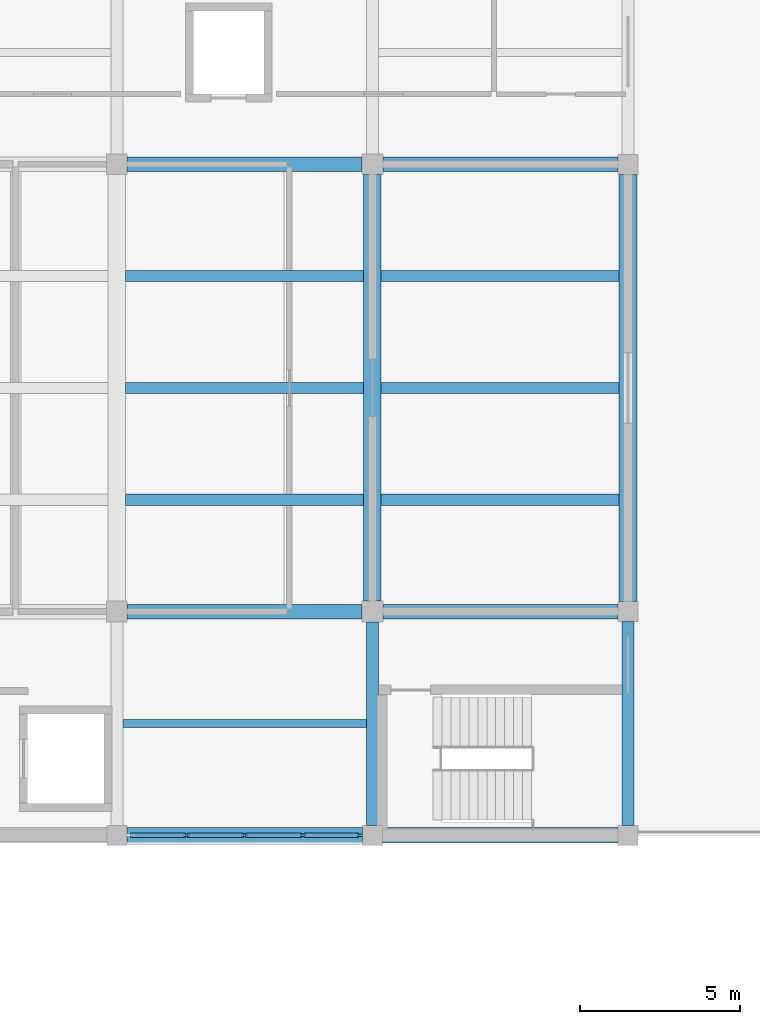
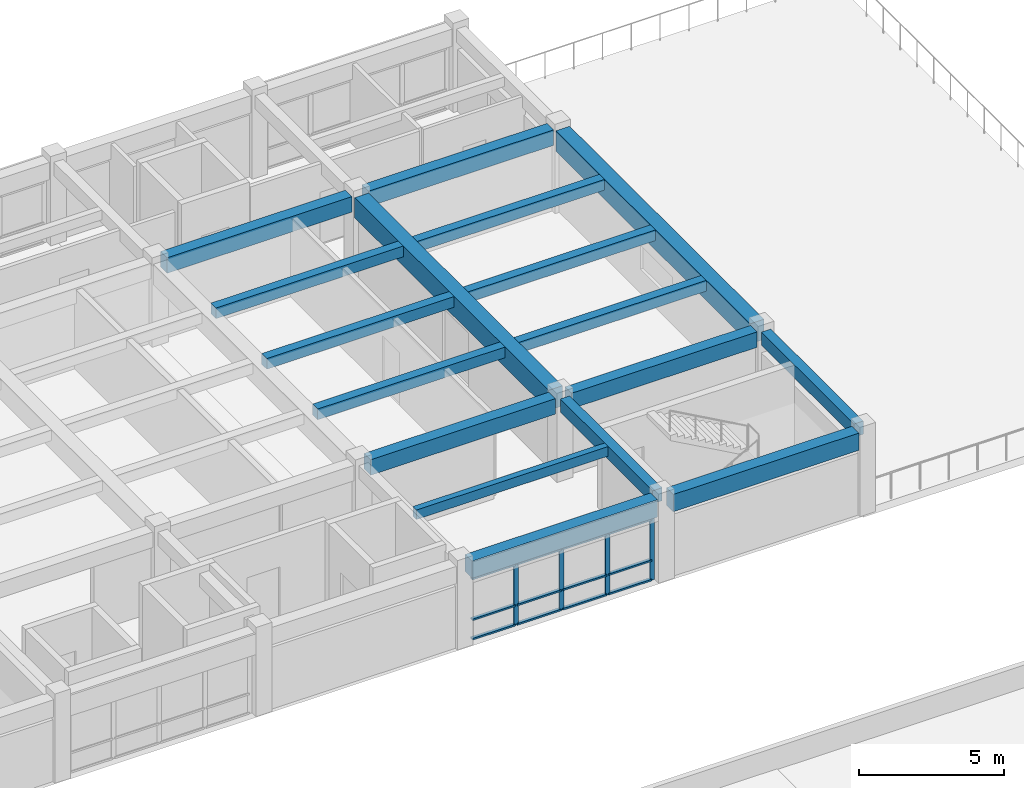
# One storey, part 3 of 22: 17 beams, 16 members, 1 element without a shape of its own.
"""IFC4 building model written with IfcOpenShell, lengths in metres."""

from ifc_helpers import new_model, si_unit, direction, frame, origin, origin_2d, place, context, subcontext, project, spatial, rectangle, extrude, material, layer, layer_set, material_profile, profile_set, type_object, element, aggregate, save


model = new_model("IFC4")

# Units and contexts
model_context = context("Model", 3, precision=1e-05, world=origin(), true_north=direction((0.0, 1.0)))
body_context = subcontext(model_context, "Body", "Model", "MODEL_VIEW")
ifc_project = project(units=[si_unit("LENGTHUNIT", "METRE"), si_unit("AREAUNIT", "SQUARE_METRE"), si_unit("VOLUMEUNIT", "CUBIC_METRE"), si_unit("PLANEANGLEUNIT", "RADIAN"), si_unit("MASSUNIT", "GRAM", prefix="KILO")], contexts=[model_context])

# Site, building, storey
site_placement = place(None, origin())
site = spatial("IfcSite", under=ifc_project, at=site_placement, CompositionType="ELEMENT")
building_placement = place(site_placement, origin())
building = spatial("IfcBuilding", under=site, at=building_placement, Name="Naurynzar Civic Courthouse", CompositionType="ELEMENT")
storey_placement = place(building_placement, frame((0.0, 0.0, 25.800048828125)))
storey = spatial("IfcBuildingStorey", under=building, at=storey_placement, Name="L07", CompositionType="ELEMENT", Elevation=25.800048828125)

# Beams
ifc_material_1 = material(Name="Concrete C40/50", Category="concrete")
ifc_material_profile_1 = material_profile(ifc_material_1, rectangle(XDim=0.25, YDim=0.39990234375, at=origin_2d()), Name="RCB 250x400")
ifc_profile_set_1 = profile_set([ifc_material_profile_1], Name="Concrete C40/50")
beam_type_1 = type_object("IfcBeamType", Name="BM-JST-250x400", PredefinedType="JOIST", material=ifc_profile_set_1)
beam_1_placement = place(storey_placement, frame((93.1875, 47.5, 3.27001953125), z_axis=(1.0, 0.0, 0.0), x_axis=(0.0, 1.0, 0.0)))
element("IfcBeam", 1, at=beam_1_placement, inside=storey, type_object=beam_type_1, Name="V2 secondary rib 976 L07", PredefinedType="JOIST", context=body_context, shape_type="SweptSolid", body=[
    extrude(rectangle(XDim=0.25, YDim=0.39990234375, at=origin_2d()), origin(), (0.0, 0.0, 1.0), 7.625),
])
ifc_material_2 = material(Name="Concrete C40/50", Category="concrete")
ifc_material_profile_2 = material_profile(ifc_material_2, rectangle(XDim=0.550048828125, YDim=0.85009765625, at=origin_2d()), Name="PTB 550x850")
ifc_profile_set_2 = profile_set([ifc_material_profile_2], Name="Concrete C40/50")
beam_type_2 = type_object("IfcBeamType", Name="BM-PT-550x850", PredefinedType="T_BEAM", material=ifc_profile_set_2)
beam_2_placement = place(storey_placement, frame((101.0, 51.324951171875, 3.044921875), z_axis=(0.0, 1.0, 0.0), x_axis=(-1.0, 0.0, 0.0)))
element("IfcBeam", 2, at=beam_2_placement, inside=storey, type_object=beam_type_2, Name="V2 girder Y-970 L07", PredefinedType="T_BEAM", context=body_context, shape_type="SweptSolid", body=[
    extrude(rectangle(XDim=0.550048828125, YDim=0.85009765625, at=origin_2d()), origin(), (0.0, 0.0, 1.0), 13.35009765625),
])
beam_3_placement = place(storey_placement, frame((109.0, 51.3125, 3.044921875), z_axis=(0.0, 1.0, 0.0), x_axis=(-1.0, 0.0, 0.0)))
element("IfcBeam", 3, at=beam_3_placement, inside=storey, type_object=beam_type_2, Name="V2 girder Y-973 L07", PredefinedType="T_BEAM", context=body_context, shape_type="SweptSolid", body=[
    extrude(rectangle(XDim=0.550048828125, YDim=0.85009765625, at=origin_2d()), origin(), (0.0, 0.0, 1.0), 13.375),
])
ifc_material_3 = material(Name="Concrete C40/50", Category="concrete")
ifc_material_profile_3 = material_profile(ifc_material_3, rectangle(XDim=0.35009765625, YDim=0.449951171875, at=origin_2d()), Name="RCB 350x450")
ifc_profile_set_3 = profile_set([ifc_material_profile_3], Name="Concrete C40/50")
beam_type_3 = type_object("IfcBeamType", Name="BM-RC-350x450", PredefinedType="BEAM", material=ifc_profile_set_3)
for number, where, z_axis, x_axis, name in (
    (4, (93.27490234375, 54.5, 3.244873046875), (1.0, 0.0, 0.0), (0.0, 1.0, 0.0), "V2 secondary rib 989 L07"),
    (5, (93.27490234375, 58.0, 3.244873046875), (1.0, 0.0, 0.0), (0.0, 1.0, 0.0), "V2 secondary rib 990 L07"),
    (6, (93.27490234375, 61.5, 3.244873046875), (1.0, 0.0, 0.0), (0.0, 1.0, 0.0), "V2 secondary rib 991 L07"),
    (7, (101.27490234375, 54.5, 3.244873046875), (1.0, 0.0, 0.0), (0.0, 1.0, 0.0), "V2 secondary rib 992 L07"),
    (8, (101.27490234375, 58.0, 3.244873046875), (1.0, 0.0, 0.0), (0.0, 1.0, 0.0), "V2 secondary rib 993 L07"),
    (9, (101.27490234375, 61.5, 3.244873046875), (1.0, 0.0, 0.0), (0.0, 1.0, 0.0), "V2 secondary rib 994 L07"),
):
    element("IfcBeam", number, at=place(storey_placement, frame(where, z_axis=z_axis, x_axis=x_axis)), inside=storey, type_object=beam_type_3, Name=name, PredefinedType="BEAM", context=body_context, shape_type="SweptSolid", body=[
        extrude(rectangle(XDim=0.35009765625, YDim=0.449951171875, at=origin_2d()), origin(), (0.0, 0.0, 1.0), 7.4501953125),
    ])
ifc_material_4 = material(Name="Concrete C40/50", Category="concrete")
ifc_material_profile_4 = material_profile(ifc_material_4, rectangle(XDim=0.375, YDim=0.550048828125, at=origin_2d()), Name="RCB 375x550")
ifc_profile_set_4 = profile_set([ifc_material_profile_4], Name="Concrete C40/50")
beam_type_4 = type_object("IfcBeamType", Name="BM-RC-375x550", PredefinedType="BEAM", material=ifc_profile_set_4)
beam_4_placement = place(storey_placement, frame((101.0, 44.3125, 3.195068359375), z_axis=(0.0, 1.0, 0.0), x_axis=(-1.0, 0.0, 0.0)))
element("IfcBeam", 10, at=beam_4_placement, inside=storey, type_object=beam_type_4, Name="V2 girder Y-969 L07", PredefinedType="BEAM", context=body_context, shape_type="SweptSolid", body=[
    extrude(rectangle(XDim=0.375, YDim=0.550048828125, at=origin_2d()), origin(), (0.0, 0.0, 1.0), 6.362548828125),
])
beam_5_placement = place(storey_placement, frame((109.0, 44.3125, 3.195068359375), z_axis=(0.0, 1.0, 0.0), x_axis=(-1.0, 0.0, 0.0)))
element("IfcBeam", 11, at=beam_5_placement, inside=storey, type_object=beam_type_4, Name="V2 girder Y-972 L07", PredefinedType="BEAM", context=body_context, shape_type="SweptSolid", body=[
    extrude(rectangle(XDim=0.375, YDim=0.550048828125, at=origin_2d()), origin(), (0.0, 0.0, 1.0), 6.375),
])
ifc_material_5 = material(Name="Concrete C40/50", Category="concrete")
ifc_material_profile_5 = material_profile(ifc_material_5, rectangle(XDim=0.449951171875, YDim=0.64990234375, at=origin_2d()), Name="RCB 450x650")
ifc_profile_set_5 = profile_set([ifc_material_profile_5], Name="Concrete C40/50")
beam_type_5 = type_object("IfcBeamType", Name="BM-RC-450x650", PredefinedType="BEAM", material=ifc_profile_set_5)
beam_6_placement = place(storey_placement, frame((93.324951171875, 51.0, 3.14501953125), z_axis=(1.0, 0.0, 0.0), x_axis=(0.0, 1.0, 0.0)))
element("IfcBeam", 12, at=beam_6_placement, inside=storey, type_object=beam_type_5, Name="V2 beam X-940 L07", PredefinedType="BEAM", context=body_context, shape_type="SweptSolid", body=[
    extrude(rectangle(XDim=0.449951171875, YDim=0.64990234375, at=origin_2d()), origin(), (0.0, 0.0, 1.0), 7.35009765625),
])
beam_7_placement = place(storey_placement, frame((101.324951171875, 51.0, 3.14501953125), z_axis=(1.0, 0.0, 0.0), x_axis=(0.0, 1.0, 0.0)))
element("IfcBeam", 13, at=beam_7_placement, inside=storey, type_object=beam_type_5, Name="V2 beam X-941 L07", PredefinedType="BEAM", context=body_context, shape_type="SweptSolid", body=[
    extrude(rectangle(XDim=0.449951171875, YDim=0.64990234375, at=origin_2d()), origin(), (0.0, 0.0, 1.0), 7.362548828125),
])
beam_8_placement = place(storey_placement, frame((93.324951171875, 65.0, 3.14501953125), z_axis=(1.0, 0.0, 0.0), x_axis=(0.0, 1.0, 0.0)))
element("IfcBeam", 14, at=beam_8_placement, inside=storey, type_object=beam_type_5, Name="V2 beam X-946 L07", PredefinedType="BEAM", context=body_context, shape_type="SweptSolid", body=[
    extrude(rectangle(XDim=0.449951171875, YDim=0.64990234375, at=origin_2d()), origin(), (0.0, 0.0, 1.0), 7.35009765625),
])
beam_9_placement = place(storey_placement, frame((101.324951171875, 65.0, 3.14501953125), z_axis=(1.0, 0.0, 0.0), x_axis=(0.0, 1.0, 0.0)))
element("IfcBeam", 15, at=beam_9_placement, inside=storey, type_object=beam_type_5, Name="V2 beam X-947 L07", PredefinedType="BEAM", context=body_context, shape_type="SweptSolid", body=[
    extrude(rectangle(XDim=0.449951171875, YDim=0.64990234375, at=origin_2d()), origin(), (0.0, 0.0, 1.0), 7.362548828125),
])
ifc_material_6 = material(Name="Concrete C40/50", Category="concrete")
ifc_material_profile_6 = material_profile(ifc_material_6, rectangle(XDim=0.47509765625, YDim=0.72509765625, at=origin_2d()), Name="RCB 475x725")
ifc_profile_set_6 = profile_set([ifc_material_profile_6], Name="Concrete C40/50")
beam_type_6 = type_object("IfcBeamType", Name="BM-RC-475x725", PredefinedType="SPANDREL", material=ifc_profile_set_6)
for number, where, z_axis, x_axis, name in (
    (16, (93.3125, 44.0, 3.107421875), (1.0, 0.0, 0.0), (0.0, 1.0, 0.0), "V2 beam X-934 L07"),
    (17, (101.3125, 44.0, 3.107421875), (1.0, 0.0, 0.0), (0.0, 1.0, 0.0), "V2 beam X-935 L07"),
):
    element("IfcBeam", number, at=place(storey_placement, frame(where, z_axis=z_axis, x_axis=x_axis)), inside=storey, type_object=beam_type_6, Name=name, PredefinedType="SPANDREL", context=body_context, shape_type="SweptSolid", body=[
        extrude(rectangle(XDim=0.47509765625, YDim=0.72509765625, at=origin_2d()), origin(), (0.0, 0.0, 1.0), 7.375),
    ])

# Curtain wall, members
ifc_material_7 = material(Name="Aluminium 6063-T6", Category="aluminium")
ifc_layer = layer(ifc_material_7, 0.159912109375)
ifc_layer_set = layer_set([ifc_layer], Name="CW-UNIT-1800")
curtain_wall_type = type_object("IfcCurtainWallType", Name="CW-UNIT-1800", PredefinedType="NOTDEFINED", material=ifc_layer_set)
curtain_wall_placement = place(storey_placement, origin())
curtain_wall = element("IfcCurtainWall", 18, at=curtain_wall_placement, inside=storey, type_object=curtain_wall_type, Name="V2 unitised curtain wall 51 L07", PredefinedType="NOTDEFINED")
ifc_material_8 = material(Name="Aluminium 6063-T6", Category="aluminium")
ifc_material_profile_7 = material_profile(ifc_material_8, rectangle(XDim=0.070068359375, YDim=0.179931640625, at=origin_2d()), Name="ALU MULLION 70x180")
ifc_profile_set_7 = profile_set([ifc_material_profile_7], Name="Aluminium 6063-T6")
member_type_1 = type_object("IfcMemberType", Name="CWM-70x180", PredefinedType="MULLION", material=ifc_profile_set_7)
member_1_placement = place(storey_placement, frame((100.6025390625, 44.0, 0.0), z_axis=(0.0, 0.0, 1.0), x_axis=(0.0, -1.0, 0.0)))
member_1 = element("IfcMember", 19, at=member_1_placement, type_object=member_type_1, Name="CW-02 mullion 1", PredefinedType="MULLION", context=body_context, shape_type="SweptSolid", body=[
    extrude(rectangle(XDim=0.070068359375, YDim=0.179931640625, at=origin_2d()), origin(), (0.0, 0.0, 1.0), 2.599853515625),
])
member_2_placement = place(storey_placement, frame((98.81884765625, 44.0, 0.0), z_axis=(0.0, 0.0, 1.0), x_axis=(0.0, -1.0, 0.0)))
member_2 = element("IfcMember", 20, at=member_2_placement, type_object=member_type_1, Name="CW-02 mullion 2", PredefinedType="MULLION", context=body_context, shape_type="SweptSolid", body=[
    extrude(rectangle(XDim=0.070068359375, YDim=0.179931640625, at=origin_2d()), origin(), (0.0, 0.0, 1.0), 2.599853515625),
])
member_3_placement = place(storey_placement, frame((97.0, 44.0, 0.0), z_axis=(0.0, 0.0, 1.0), x_axis=(0.0, -1.0, 0.0)))
member_3 = element("IfcMember", 21, at=member_3_placement, type_object=member_type_1, Name="CW-02 mullion 3", PredefinedType="MULLION", context=body_context, shape_type="SweptSolid", body=[
    extrude(rectangle(XDim=0.070068359375, YDim=0.179931640625, at=origin_2d()), origin(), (0.0, 0.0, 1.0), 2.599853515625),
])
member_4_placement = place(storey_placement, frame((95.18115234375, 44.0, 0.0), z_axis=(0.0, 0.0, 1.0), x_axis=(0.0, -1.0, 0.0)))
member_4 = element("IfcMember", 22, at=member_4_placement, type_object=member_type_1, Name="CW-02 mullion 4", PredefinedType="MULLION", context=body_context, shape_type="SweptSolid", body=[
    extrude(rectangle(XDim=0.070068359375, YDim=0.179931640625, at=origin_2d()), origin(), (0.0, 0.0, 1.0), 2.599853515625),
])
ifc_material_9 = material(Name="Aluminium 6063-T6", Category="aluminium")
ifc_material_profile_8 = material_profile(ifc_material_9, rectangle(XDim=0.1298828125, YDim=0.070068359375, at=origin_2d()), Name="ALU TRANSOM 70x130")
ifc_profile_set_8 = profile_set([ifc_material_profile_8], Name="Aluminium 6063-T6")
member_type_2 = type_object("IfcMemberType", Name="CWT-70x130", PredefinedType="USERDEFINED", material=ifc_profile_set_8)
member_5_placement = place(storey_placement, frame((100.5673828125, 44.0, 0.034912109375), z_axis=(-1.0, 0.0, 0.0), x_axis=(0.0, -1.0, 0.0)))
member_5 = element("IfcMember", 23, at=member_5_placement, type_object=member_type_2, Name="CW-02 transom 1.1", ObjectType="TRANSOM", PredefinedType="USERDEFINED", context=body_context, shape_type="SweptSolid", body=[
    extrude(rectangle(XDim=0.1298828125, YDim=0.070068359375, at=origin_2d()), origin(), (0.0, 0.0, 1.0), 1.713623046875),
])
member_6_placement = place(storey_placement, frame((100.5673828125, 44.0, 0.849853515625), z_axis=(-1.0, 0.0, 0.0), x_axis=(0.0, -1.0, 0.0)))
member_6 = element("IfcMember", 24, at=member_6_placement, type_object=member_type_2, Name="CW-02 transom 1.2", ObjectType="TRANSOM", PredefinedType="USERDEFINED", context=body_context, shape_type="SweptSolid", body=[
    extrude(rectangle(XDim=0.1298828125, YDim=0.070068359375, at=origin_2d()), origin(), (0.0, 0.0, 1.0), 1.713623046875),
])
member_7_placement = place(storey_placement, frame((100.5673828125, 44.0, 2.56494140625), z_axis=(-1.0, 0.0, 0.0), x_axis=(0.0, -1.0, 0.0)))
member_7 = element("IfcMember", 25, at=member_7_placement, type_object=member_type_2, Name="CW-02 transom 1.3", ObjectType="TRANSOM", PredefinedType="USERDEFINED", context=body_context, shape_type="SweptSolid", body=[
    extrude(rectangle(XDim=0.1298828125, YDim=0.070068359375, at=origin_2d()), origin(), (0.0, 0.0, 1.0), 1.713623046875),
])
member_8_placement = place(storey_placement, frame((98.78369140625, 44.0, 0.034912109375), z_axis=(-1.0, 0.0, 0.0), x_axis=(0.0, -1.0, 0.0)))
member_8 = element("IfcMember", 26, at=member_8_placement, type_object=member_type_2, Name="CW-02 transom 2.1", ObjectType="TRANSOM", PredefinedType="USERDEFINED", context=body_context, shape_type="SweptSolid", body=[
    extrude(rectangle(XDim=0.1298828125, YDim=0.070068359375, at=origin_2d()), origin(), (0.0, 0.0, 1.0), 1.748779296875),
])
member_9_placement = place(storey_placement, frame((98.78369140625, 44.0, 0.849853515625), z_axis=(-1.0, 0.0, 0.0), x_axis=(0.0, -1.0, 0.0)))
member_9 = element("IfcMember", 27, at=member_9_placement, type_object=member_type_2, Name="CW-02 transom 2.2", ObjectType="TRANSOM", PredefinedType="USERDEFINED", context=body_context, shape_type="SweptSolid", body=[
    extrude(rectangle(XDim=0.1298828125, YDim=0.070068359375, at=origin_2d()), origin(), (0.0, 0.0, 1.0), 1.748779296875),
])
member_10_placement = place(storey_placement, frame((98.78369140625, 44.0, 2.56494140625), z_axis=(-1.0, 0.0, 0.0), x_axis=(0.0, -1.0, 0.0)))
member_10 = element("IfcMember", 28, at=member_10_placement, type_object=member_type_2, Name="CW-02 transom 2.3", ObjectType="TRANSOM", PredefinedType="USERDEFINED", context=body_context, shape_type="SweptSolid", body=[
    extrude(rectangle(XDim=0.1298828125, YDim=0.070068359375, at=origin_2d()), origin(), (0.0, 0.0, 1.0), 1.748779296875),
])
member_11_placement = place(storey_placement, frame((96.965087890625, 44.0, 0.034912109375), z_axis=(-1.0, 0.0, 0.0), x_axis=(0.0, -1.0, 0.0)))
member_11 = element("IfcMember", 29, at=member_11_placement, type_object=member_type_2, Name="CW-02 transom 3.1", ObjectType="TRANSOM", PredefinedType="USERDEFINED", context=body_context, shape_type="SweptSolid", body=[
    extrude(rectangle(XDim=0.1298828125, YDim=0.070068359375, at=origin_2d()), origin(), (0.0, 0.0, 1.0), 1.748779296875),
])
member_12_placement = place(storey_placement, frame((96.965087890625, 44.0, 0.849853515625), z_axis=(-1.0, 0.0, 0.0), x_axis=(0.0, -1.0, 0.0)))
member_12 = element("IfcMember", 30, at=member_12_placement, type_object=member_type_2, Name="CW-02 transom 3.2", ObjectType="TRANSOM", PredefinedType="USERDEFINED", context=body_context, shape_type="SweptSolid", body=[
    extrude(rectangle(XDim=0.1298828125, YDim=0.070068359375, at=origin_2d()), origin(), (0.0, 0.0, 1.0), 1.748779296875),
])
member_13_placement = place(storey_placement, frame((96.965087890625, 44.0, 2.56494140625), z_axis=(-1.0, 0.0, 0.0), x_axis=(0.0, -1.0, 0.0)))
member_13 = element("IfcMember", 31, at=member_13_placement, type_object=member_type_2, Name="CW-02 transom 3.3", ObjectType="TRANSOM", PredefinedType="USERDEFINED", context=body_context, shape_type="SweptSolid", body=[
    extrude(rectangle(XDim=0.1298828125, YDim=0.070068359375, at=origin_2d()), origin(), (0.0, 0.0, 1.0), 1.748779296875),
])
member_14_placement = place(storey_placement, frame((95.146240234375, 44.0, 0.034912109375), z_axis=(-1.0, 0.0, 0.0), x_axis=(0.0, -1.0, 0.0)))
member_14 = element("IfcMember", 32, at=member_14_placement, type_object=member_type_2, Name="CW-02 transom 4.1", ObjectType="TRANSOM", PredefinedType="USERDEFINED", context=body_context, shape_type="SweptSolid", body=[
    extrude(rectangle(XDim=0.1298828125, YDim=0.070068359375, at=origin_2d()), origin(), (0.0, 0.0, 1.0), 1.713623046875),
])
member_15_placement = place(storey_placement, frame((95.146240234375, 44.0, 0.849853515625), z_axis=(-1.0, 0.0, 0.0), x_axis=(0.0, -1.0, 0.0)))
member_15 = element("IfcMember", 33, at=member_15_placement, type_object=member_type_2, Name="CW-02 transom 4.2", ObjectType="TRANSOM", PredefinedType="USERDEFINED", context=body_context, shape_type="SweptSolid", body=[
    extrude(rectangle(XDim=0.1298828125, YDim=0.070068359375, at=origin_2d()), origin(), (0.0, 0.0, 1.0), 1.713623046875),
])
member_16_placement = place(storey_placement, frame((95.146240234375, 44.0, 2.56494140625), z_axis=(-1.0, 0.0, 0.0), x_axis=(0.0, -1.0, 0.0)))
member_16 = element("IfcMember", 34, at=member_16_placement, type_object=member_type_2, Name="CW-02 transom 4.3", ObjectType="TRANSOM", PredefinedType="USERDEFINED", context=body_context, shape_type="SweptSolid", body=[
    extrude(rectangle(XDim=0.1298828125, YDim=0.070068359375, at=origin_2d()), origin(), (0.0, 0.0, 1.0), 1.713623046875),
])
aggregate(curtain_wall, [member_1, member_2, member_3, member_4, member_5, member_6, member_7, member_8, member_9, member_10, member_11, member_12, member_13, member_14, member_15, member_16])

save(model, "model.ifc")
